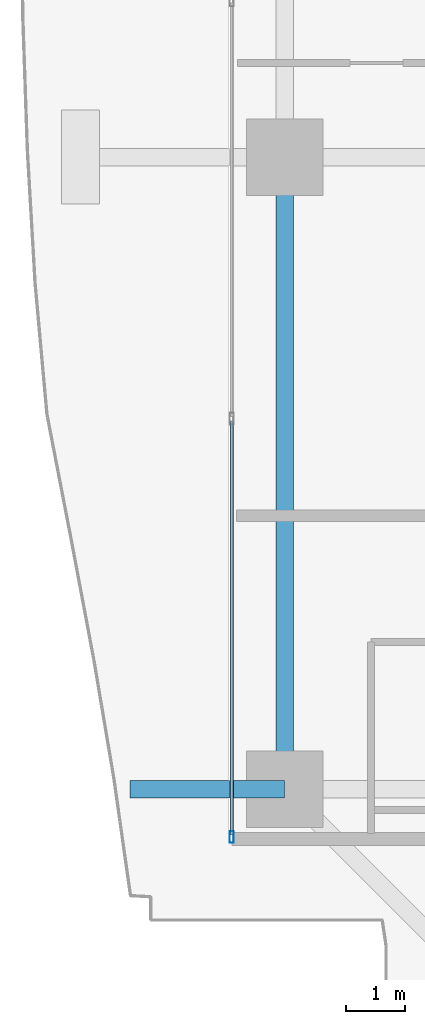
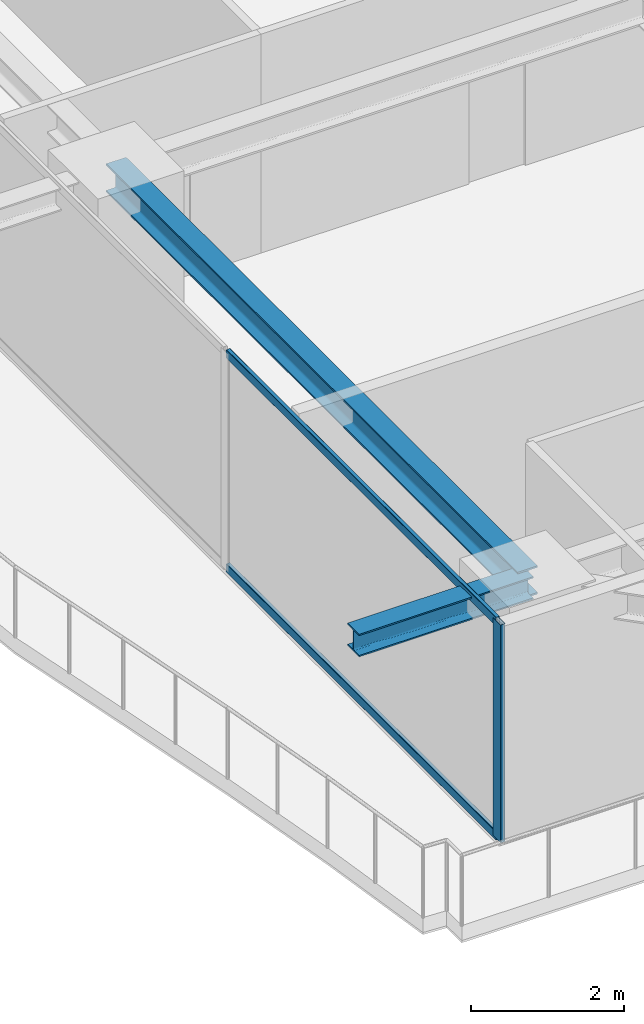
# One storey, part 3 of 39: 3 members, 2 beams, 1 element without a shape of its own.
"""IFC4 building model written with IfcOpenShell, lengths in metres."""

from ifc_helpers import new_model, si_unit, direction, frame, origin, origin_2d, place, context, subcontext, project, spatial, hollow_rectangle, i_section, extrude, source, transform, mapped, material, layer, layer_set, material_profile, profile_set, type_object, element, aggregate, save


model = new_model("IFC4")

# Units and contexts
model_context = context("Model", 3, precision=1e-05, world=origin(), true_north=direction((0.0, 1.0)))
body_context = subcontext(model_context, "Body", "Model", "MODEL_VIEW")
ifc_project = project(units=[si_unit("LENGTHUNIT", "METRE"), si_unit("AREAUNIT", "SQUARE_METRE"), si_unit("VOLUMEUNIT", "CUBIC_METRE"), si_unit("PLANEANGLEUNIT", "RADIAN"), si_unit("MASSUNIT", "GRAM", prefix="KILO")], contexts=[model_context])

# Site, building, storey
site_placement = place(None, origin())
site = spatial("IfcSite", under=ifc_project, at=site_placement, CompositionType="ELEMENT")
building_placement = place(site_placement, origin())
building = spatial("IfcBuilding", under=site, at=building_placement, Name="Serunith Strait Residences", CompositionType="ELEMENT")
storey_placement = place(building_placement, frame((0.0, 0.0, 168.89990234375)))
storey = spatial("IfcBuildingStorey", under=building, at=storey_placement, Name="L42", CompositionType="ELEMENT", Elevation=168.89990234375)

# Beams
ifc_material_1 = material(Name="Steel S355J2", Category="steel")
ifc_material_profile_1 = material_profile(ifc_material_1, i_section(OverallWidth=0.300048828125, OverallDepth=0.449951171875, WebThickness=0.013916015625, FlangeThickness=0.02587890625, FilletRadius=0.027099609375, at=origin_2d()), Name="HEB 450")
ifc_profile_set_1 = profile_set([ifc_material_profile_1], Name="Steel S355J2")
beam_type_1 = type_object("IfcBeamType", Name="BM-HEB450", PredefinedType="BEAM", material=ifc_profile_set_1)
shared_shape_1 = source(origin(), body_context, "Body", "SweptSolid", [
    extrude(i_section(OverallWidth=0.300048828125, OverallDepth=0.449951171875, WebThickness=0.013916015625, FlangeThickness=0.02587890625, FilletRadius=0.027099609375, at=origin_2d()), origin(), (0.0, 0.0, 1.0), 10.75),
])
beam_1_placement = place(storey_placement, frame((8.699951171875, 21.0, 3.26220703125), z_axis=(0.0, -1.0, 0.0), x_axis=(1.0, 0.0, 0.0)))
element("IfcBeam", 1, at=beam_1_placement, inside=storey, type_object=beam_type_1, Name="L42 Perimeter Ring Beam 15", PredefinedType="BEAM", context=body_context, shape_type="MappedRepresentation", body=[
    mapped(shared_shape_1, transform((0.0, 0.0, 0.0), scale=1.0)),
])
ifc_material_profile_2 = material_profile(ifc_material_1, i_section(OverallWidth=0.300048828125, OverallDepth=0.360107421875, WebThickness=0.012451171875, FlangeThickness=0.0224609375, FilletRadius=0.027099609375, at=origin_2d()), Name="HEB 360")
ifc_profile_set_2 = profile_set([ifc_material_profile_2], Name="Steel S355J2")
beam_type_2 = type_object("IfcBeamType", Name="BM-HEB360", PredefinedType="BEAM", material=ifc_profile_set_2)
shared_shape_2 = source(origin(), body_context, "Body", "SweptSolid", [
    extrude(i_section(OverallWidth=0.300048828125, OverallDepth=0.360107421875, WebThickness=0.012451171875, FlangeThickness=0.0224609375, FilletRadius=0.027099609375, at=origin_2d()), origin(), (0.0, 0.0, 1.0), 2.6279296875),
])
beam_2_placement = place(storey_placement, frame((8.699951171875, 10.25, 3.277099609375), z_axis=(-1.0, 0.0, 0.0), x_axis=(0.0, -1.0, 0.0)))
element("IfcBeam", 2, at=beam_2_placement, inside=storey, type_object=beam_type_2, Name="L43 Cantilevered Balcony Rib TC-W1", PredefinedType="BEAM", context=body_context, shape_type="MappedRepresentation", body=[
    mapped(shared_shape_2, transform((0.0, 0.0, 0.0), scale=1.0)),
])

# Curtain wall, members
ifc_material_2 = material(Name="Pale-Champagne Anodised Aluminium", Category="aluminium")
ifc_layer = layer(ifc_material_2, 0.199951171875, Name="Pale-Champagne Anodised Aluminium")
ifc_layer_set = layer_set([ifc_layer], Name="Pale-Champagne Anodised Aluminium")
curtain_wall_type = type_object("IfcCurtainWallType", Name="CW-SYS2", PredefinedType="NOTDEFINED", material=ifc_layer_set)
curtain_wall_placement = place(storey_placement, origin())
curtain_wall = element("IfcCurtainWall", 3, at=curtain_wall_placement, inside=storey, type_object=curtain_wall_type, Name="L42 W Unitised Fritted Curtain Wall", PredefinedType="NOTDEFINED")
ifc_material_profile_3 = material_profile(ifc_material_2, hollow_rectangle(XDim=0.070068359375, YDim=0.199951171875, WallThickness=0.00390625, InnerFilletRadius=0.006103515625, OuterFilletRadius=0.010009765625, at=origin_2d()), Name="ALU 200x70x4")
ifc_profile_set_3 = profile_set([ifc_material_profile_3], Name="Pale-Champagne Anodised Aluminium")
member_type_1 = type_object("IfcMemberType", Name="CW-SYS2-MULL", PredefinedType="MULLION", material=ifc_profile_set_3)
shared_shape_3 = source(origin(), body_context, "Body", "SweptSolid", [
    extrude(hollow_rectangle(XDim=0.070068359375, YDim=0.199951171875, WallThickness=0.00390625, InnerFilletRadius=0.006103515625, OuterFilletRadius=0.010009765625, at=origin_2d()), origin(), (0.0, 0.0, 1.0), 3.47509765625),
])
member_1_placement = place(storey_placement, frame((7.800048828125, 9.43505859375, 0.0), z_axis=(0.0, 0.0, 1.0), x_axis=(1.0, 0.0, 0.0)))
member_1 = element("IfcMember", 4, at=member_1_placement, type_object=member_type_1, Name="CW-2 mullion 3", PredefinedType="MULLION", context=body_context, shape_type="MappedRepresentation", body=[
    mapped(shared_shape_3, transform((0.0, 0.0, 0.0), scale=1.0)),
])
ifc_material_profile_4 = material_profile(ifc_material_2, hollow_rectangle(XDim=0.06005859375, YDim=0.139892578125, WallThickness=0.00341796875, InnerFilletRadius=0.00537109375, OuterFilletRadius=0.0087890625, at=origin_2d()), Name="ALU 140x60x3.5")
ifc_profile_set_4 = profile_set([ifc_material_profile_4], Name="Pale-Champagne Anodised Aluminium")
member_type_2 = type_object("IfcMemberType", Name="CW-SYS2-TRAN", PredefinedType="USERDEFINED", material=ifc_profile_set_4)
shared_shape_4 = source(origin(), body_context, "Body", "SweptSolid", [
    extrude(hollow_rectangle(XDim=0.06005859375, YDim=0.139892578125, WallThickness=0.00341796875, InnerFilletRadius=0.00537109375, OuterFilletRadius=0.0087890625, at=origin_2d()), origin(), (0.0, 0.0, 1.0), 7.044921875),
])
member_2_placement = place(storey_placement, frame((7.800048828125, 16.514892578125, 0.030029296875), z_axis=(0.0, -1.0, 0.0), x_axis=(1.0, 0.0, 0.0)))
member_2 = element("IfcMember", 5, at=member_2_placement, type_object=member_type_2, Name="CW-2 transom 2.1", ObjectType="TRANSOM", PredefinedType="USERDEFINED", context=body_context, shape_type="MappedRepresentation", body=[
    mapped(shared_shape_4, transform((0.0, 0.0, 0.0), scale=1.0)),
])
member_3_placement = place(storey_placement, frame((7.800048828125, 16.514892578125, 3.445068359375), z_axis=(0.0, -1.0, 0.0), x_axis=(1.0, 0.0, 0.0)))
member_3 = element("IfcMember", 6, at=member_3_placement, type_object=member_type_2, Name="CW-2 transom 2.2", ObjectType="TRANSOM", PredefinedType="USERDEFINED", context=body_context, shape_type="MappedRepresentation", body=[
    mapped(shared_shape_4, transform((0.0, 0.0, 0.0), scale=1.0)),
])
aggregate(curtain_wall, [member_1, member_2, member_3])

save(model, "model.ifc")
